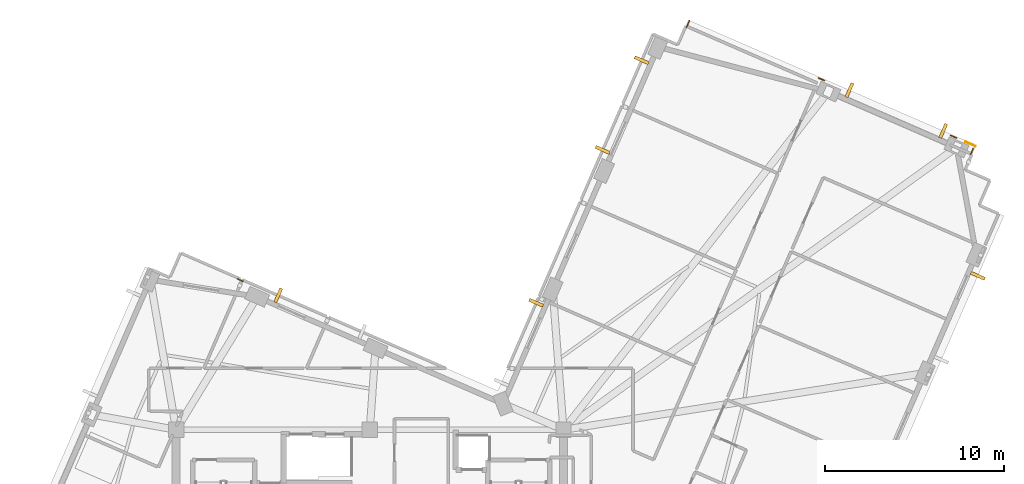
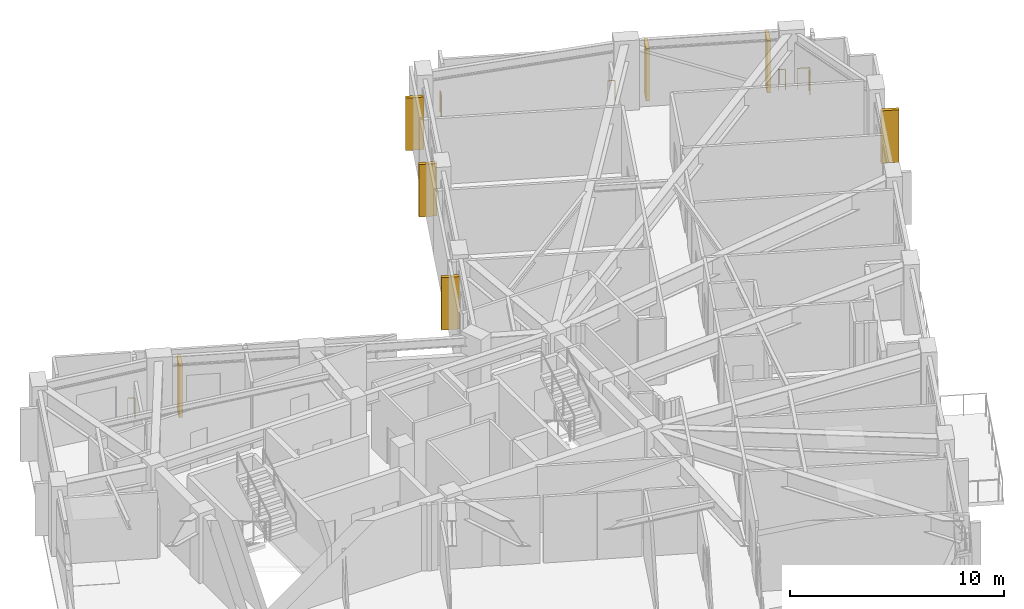
# One storey, part 11 of 11: 7 shading devices, 6 railings.
"""IFC4 building model written with IfcOpenShell, lengths in metres."""

from ifc_helpers import new_model, si_unit, direction, frame, origin, origin_2d, place, context, subcontext, project, spatial, rectangle, circle, extrude, material, layer, layer_set, type_object, element, save


model = new_model("IFC4")

# Units and contexts
model_context = context("Model", 3, precision=1e-05, world=origin(), true_north=direction((0.0, 1.0)))
body_context = subcontext(model_context, "Body", "Model", "MODEL_VIEW")
ifc_project = project(units=[si_unit("LENGTHUNIT", "METRE"), si_unit("AREAUNIT", "SQUARE_METRE"), si_unit("VOLUMEUNIT", "CUBIC_METRE"), si_unit("PLANEANGLEUNIT", "RADIAN"), si_unit("MASSUNIT", "GRAM", prefix="KILO")], contexts=[model_context])

# Site, building, storey
site_placement = place(None, origin())
site = spatial("IfcSite", under=ifc_project, at=site_placement, CompositionType="ELEMENT")
building_placement = place(site_placement, origin())
building = spatial("IfcBuilding", under=site, at=building_placement, Name="Gaonmaruhae Medical Tower", CompositionType="ELEMENT")
storey_placement = place(building_placement, frame((0.0, 0.0, 324.60009765625)))
storey = spatial("IfcBuildingStorey", under=building, at=storey_placement, Name="L78", CompositionType="ELEMENT", Elevation=324.60009765625)

# Railings
ifc_material_1 = material(Name="Stainless steel 316L and laminated safety glass", Category="steel")
ifc_layer = layer(ifc_material_1, 0.080078125)
ifc_layer_set = layer_set([ifc_layer], Name="Stainless steel 316L and laminated safety glass")
railing_type = type_object("IfcRailingType", Name="GD-120 Outdoor Terrace Safety Glass & Steel Balustrade", PredefinedType="BALUSTRADE", material=ifc_layer_set)
railing_1_placement = place(storey_placement, frame((17.418212890625, 25.217041015625, 0.0)))
element("IfcRailing", 1, at=railing_1_placement, inside=storey, type_object=railing_type, Name="L78 Perimeter Slab Edge Safety Balustrade 07", PredefinedType="BALUSTRADE", context=body_context, shape_type="SweptSolid", body=[
    extrude(circle(Radius=0.02392578125, at=origin_2d()), frame((0.0, 0.0, 1.17578125), z_axis=(0.917196011986, -0.398436288003, 0.0), x_axis=(0.398436288003, 0.917196011986, 0.0)), (0.0, 0.0, 1.0), 0.3388671875),
    extrude(circle(Radius=0.02099609375, at=origin_2d()), origin(), (0.0, 0.0, 1.0), 1.15185546875),
    extrude(circle(Radius=0.02099609375, at=origin_2d()), frame((0.310791015625, -0.135009765625, 0.0)), (0.0, 0.0, 1.0), 1.15185546875),
])
railing_2_placement = place(storey_placement, frame((42.467041015625, 39.249267578125, 0.0)))
element("IfcRailing", 2, at=railing_2_placement, inside=storey, type_object=railing_type, Name="L78 Perimeter Slab Edge Safety Balustrade 08", PredefinedType="BALUSTRADE", context=body_context, shape_type="SweptSolid", body=[
    extrude(circle(Radius=0.02392578125, at=origin_2d()), frame((0.0, 0.0, 1.17578125), z_axis=(0.398408401045, 0.917208125769, 0.0), x_axis=(-0.917208125769, 0.398408401045, 0.0)), (0.0, 0.0, 1.0), 0.393310546875),
    extrude(circle(Radius=0.02099609375, at=origin_2d()), origin(), (0.0, 0.0, 1.0), 1.15185546875),
    extrude(circle(Radius=0.02099609375, at=origin_2d()), frame((0.15673828125, 0.36083984375, 0.0)), (0.0, 0.0, 1.0), 1.15185546875),
])
for number, where, name in (
    (3, (49.835693359375, 36.419921875, 0.0), "L78 Perimeter Slab Edge Safety Balustrade 09"),
    (4, (57.204833984375, 33.215576171875, 0.0), "L78 Perimeter Slab Edge Safety Balustrade 10"),
):
    element("IfcRailing", number, at=place(storey_placement, frame(where)), inside=storey, type_object=railing_type, Name=name, PredefinedType="BALUSTRADE", context=body_context, shape_type="SweptSolid", body=[
        extrude(circle(Radius=0.02392578125, at=origin_2d()), frame((0.0, 0.0, 1.17578125), z_axis=(0.917081518132, -0.398699748056, 0.0), x_axis=(0.398699748056, 0.917081518132, 0.0)), (0.0, 0.0, 1.0), 0.338623046875),
        extrude(circle(Radius=0.02099609375, at=origin_2d()), origin(), (0.0, 0.0, 1.0), 1.15185546875),
        extrude(circle(Radius=0.02099609375, at=origin_2d()), frame((0.310546875, -0.135009765625, 0.0)), (0.0, 0.0, 1.0), 1.15185546875),
    ])
railing_3_placement = place(storey_placement, frame((58.023681640625, 32.859619140625, 0.0)))
element("IfcRailing", 5, at=railing_3_placement, inside=storey, type_object=railing_type, Name="L78 Perimeter Slab Edge Safety Balustrade 11", PredefinedType="BALUSTRADE", context=body_context, shape_type="SweptSolid", body=[
    extrude(circle(Radius=0.02392578125, at=origin_2d()), frame((0.0, 0.0, 1.17578125), z_axis=(0.917076570838, -0.398711127536, 0.0), x_axis=(0.398711127536, 0.917076570838, 0.0)), (0.0, 0.0, 1.0), 0.595703125),
    extrude(circle(Radius=0.02099609375, at=origin_2d()), origin(), (0.0, 0.0, 1.0), 1.15185546875),
    extrude(circle(Radius=0.02099609375, at=origin_2d()), frame((0.54638671875, -0.237548828125, 0.0)), (0.0, 0.0, 1.0), 1.15185546875),
])
railing_4_placement = place(storey_placement, frame((58.451171875, 32.473876953125, 0.0)))
element("IfcRailing", 6, at=railing_4_placement, inside=storey, type_object=railing_type, Name="L78 Perimeter Slab Edge Safety Balustrade 12", PredefinedType="BALUSTRADE", context=body_context, shape_type="SweptSolid", body=[
    extrude(circle(Radius=0.02392578125, at=origin_2d()), frame((0.0, 0.0, 1.17578125), z_axis=(-0.39905399153, -0.916927429977, 0.0), x_axis=(0.916927429977, -0.39905399153, 0.0)), (0.0, 0.0, 1.0), 0.32666015625),
    extrude(circle(Radius=0.02099609375, at=origin_2d()), origin(), (0.0, 0.0, 1.0), 1.15185546875),
    extrude(circle(Radius=0.02099609375, at=origin_2d()), frame((-0.13037109375, -0.299560546875, 0.0)), (0.0, 0.0, 1.0), 1.15185546875),
])

# Shading devices
ifc_material_2 = material(Name="Pigmented coral precast concrete C45/55", Category="concrete")
shading_device_type = type_object("IfcShadingDeviceType", Name="SD-FIN1 Tower Vertical Coral Precast Shading Fin", PredefinedType="USERDEFINED", material=ifc_material_2)
for number, where, z_axis, x_axis, name in (
    (7, (58.712158203125, 25.3876953125, 0.13232421875), (0.0, 0.0, 1.0), (-0.398749068925, -0.917060074385, 0.0), "L78 Vertical Coral Precast Shading Fin S05"),
    (8, (51.55078125, 35.7451171875, 0.13232421875), (0.0, 0.0, 1.0), (0.917060074385, -0.398749068925, 0.0), "L78 Vertical Coral Precast Shading Fin E01"),
    (9, (56.782470703125, 33.47021484375, 0.13232421875), (0.0, 0.0, 1.0), (0.917060074385, -0.398749068925, 0.0), "L78 Vertical Coral Precast Shading Fin E01B"),
    (10, (37.786376953125, 32.4091796875, 0.13232421875), (0.0, 0.0, 1.0), (0.398765074582, 0.917053114761, 0.0), "L78 Vertical Coral Precast Shading Fin E03"),
    (11, (39.961669921875, 37.411865234375, 0.13232421875), (0.0, 0.0, 1.0), (0.398765074582, 0.917053114761, 0.0), "L78 Vertical Coral Precast Shading Fin E03B"),
    (12, (34.080078125, 23.885009765625, 0.13232421875), (0.0, 0.0, 1.0), (0.398749068925, 0.917060074385, 0.0), "L78 Vertical Coral Precast Shading Fin EN02B"),
    (13, (19.694091796875, 24.29833984375, 0.13232421875), (0.0, 0.0, 1.0), (0.917060074385, -0.398749068925, 0.0), "L78 Vertical Coral Precast Shading Fin NE01"),
):
    element("IfcShadingDevice", number, at=place(storey_placement, frame(where, z_axis=z_axis, x_axis=x_axis)), inside=storey, type_object=shading_device_type, Name=name, ObjectType="FIN", PredefinedType="USERDEFINED", context=body_context, shape_type="SweptSolid", body=[
        extrude(rectangle(XDim=0.179931640625, YDim=0.85009765625, at=origin_2d()), origin(), (0.0, 0.0, 1.0), 3.0),
    ])

save(model, "model.ifc")
